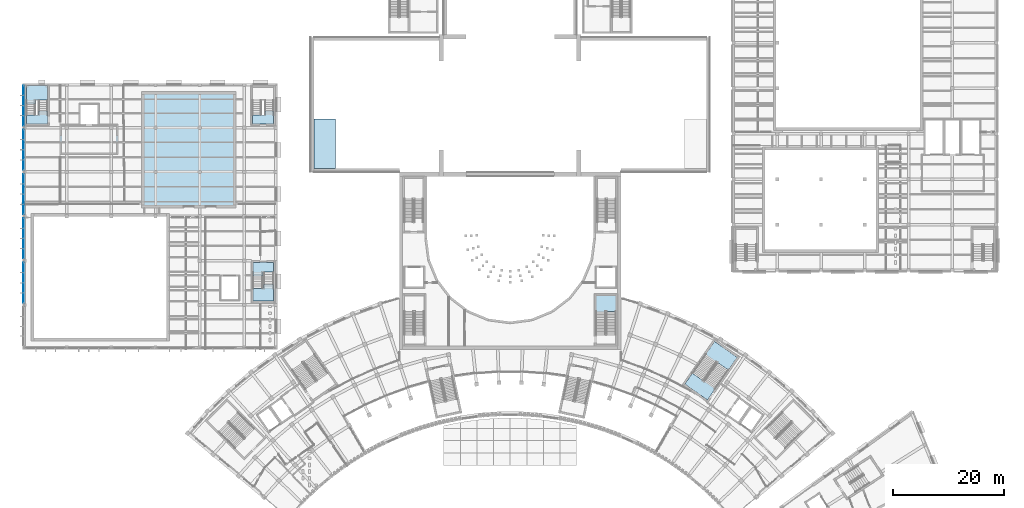
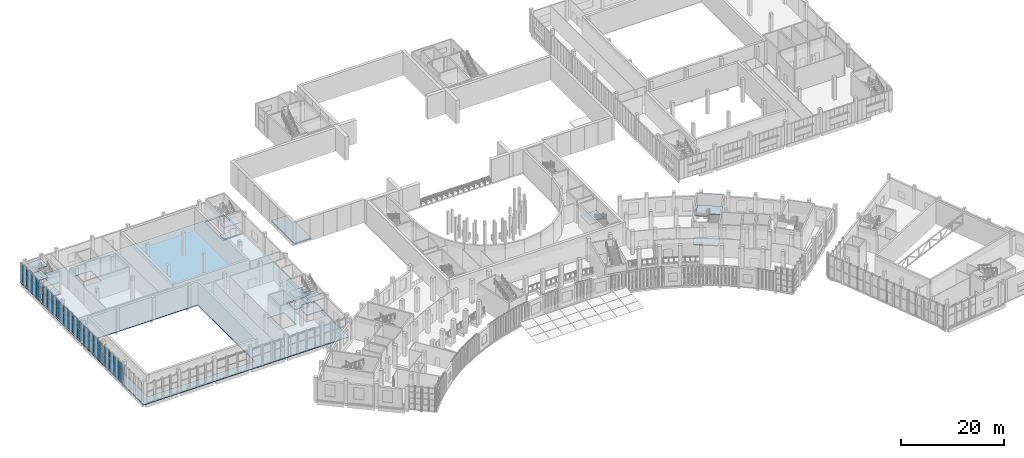
# One storey, part 48 of 112: 40 plates, 15 slabs, 10 elements without a shape of their own.
"""IFC4 building model written with IfcOpenShell, lengths in metres."""

import ifcopenshell
import ifcopenshell.guid

model = None  # the IFC model being written
_history = None  # IfcOwnerHistory: only IFC2X3 demands one
_inside = {}  # id of a spatial element -> (the spatial element, [elements in it])
_under = {}  # id of a project, library or spatial element -> (it, [spatial elements below it])
_declared = {}  # id of a project -> (the project, [libraries it declares])
_typed = {}  # id of a type object -> (the type object, [elements of that type])
_made_of = {}  # id of a material, layer set ... -> (it, [elements and type objects made of it])


def new_model(schema):
    """Start an empty IFC model of exactly this schema.

    Asked for "IFC4X3", IfcOpenShell would pick the latest addendum, in which some entities
    have other attributes; the version numbers below select the first issue.
    IFC2X3 requires an IfcOwnerHistory on every rooted entity: one is made here for all.
    """
    global model, _history
    if schema == "IFC4X3":
        model = ifcopenshell.file(schema_version=(4, 3, 0, 0))
    else:
        model = ifcopenshell.file(schema=schema)
    _inside.clear()
    _under.clear()
    _declared.clear()
    _typed.clear()
    _made_of.clear()
    _history = None
    if model.schema == "IFC2X3":
        org = make("IfcOrganization", Name="unknown")
        user = make(
            "IfcPersonAndOrganization",
            ThePerson=make("IfcPerson", FamilyName="unknown"),
            TheOrganization=org,
        )
        app = make(
            "IfcApplication",
            ApplicationDeveloper=org,
            Version="unknown",
            ApplicationFullName="unknown",
            ApplicationIdentifier="unknown",
        )
        _history = make(
            "IfcOwnerHistory",
            OwningUser=user,
            OwningApplication=app,
            ChangeAction="ADDED",
            CreationDate=0,
        )
    return model


def make(cls, **values):
    """One entity of the class cls with the attributes given. An attribute that is None is left unset."""
    return model.create_entity(
        cls, **{name: value for name, value in values.items() if value is not None}
    )


def rooted(cls, **values):
    """An entity with a GlobalId (a new one), such as an element, a storey or a relation."""
    return make(cls, GlobalId=ifcopenshell.guid.new(), OwnerHistory=_history, **values)


def si_unit(unit_type, name, prefix=None):
    """IfcSIUnit, for example si_unit("LENGTHUNIT", "METRE", prefix="MILLI")."""
    return make("IfcSIUnit", UnitType=unit_type, Prefix=prefix, Name=name)


def assignment(units):
    """IfcUnitAssignment: the units of a project."""
    return None if units is None else make("IfcUnitAssignment", Units=units)


def point(xyz):
    """IfcCartesianPoint."""
    return None if xyz is None else make("IfcCartesianPoint", Coordinates=xyz)


def direction(xyz):
    """IfcDirection."""
    return None if xyz is None else make("IfcDirection", DirectionRatios=xyz)


def frame(location, z_axis=None, x_axis=None):
    """IfcAxis2Placement3D, a coordinate frame: its origin and axes. An axis left out is left unset."""
    return make(
        "IfcAxis2Placement3D",
        Location=point(location),
        Axis=direction(z_axis),
        RefDirection=direction(x_axis),
    )


def frame_2d(location, x_axis=None):
    """IfcAxis2Placement2D, a coordinate frame in the plane: its origin and x axis."""
    return make(
        "IfcAxis2Placement2D", Location=point(location), RefDirection=direction(x_axis)
    )


def origin():
    """The frame at (0, 0, 0) with its axes left unset."""
    return frame((0.0, 0.0, 0.0))


def origin_2d():
    """The frame at (0, 0) in the plane with its x axis left unset."""
    return frame_2d((0.0, 0.0))


def place(relative_to, where):
    """IfcLocalPlacement: puts the frame where relative to a parent placement (None: the world)."""
    return make(
        "IfcLocalPlacement", PlacementRelTo=relative_to, RelativePlacement=where
    )


def context(
    kind, dimensions, precision=None, world=None, true_north=None, identifier=None
):
    """IfcGeometricRepresentationContext, for example the 3D "Model" context."""
    return make(
        "IfcGeometricRepresentationContext",
        ContextIdentifier=identifier,
        ContextType=kind,
        CoordinateSpaceDimension=dimensions,
        Precision=precision,
        WorldCoordinateSystem=world,
        TrueNorth=true_north,
    )


def subcontext(parent, identifier, kind, view, scale=None):
    """IfcGeometricRepresentationSubContext, for example "Body" below "Model"."""
    return make(
        "IfcGeometricRepresentationSubContext",
        ContextIdentifier=identifier,
        ContextType=kind,
        ParentContext=parent,
        TargetScale=scale,
        TargetView=view,
    )


def project(units=None, contexts=None):
    """IfcProject with its units and contexts."""
    return rooted(
        "IfcProject",
        Name="project",
        RepresentationContexts=contexts,
        UnitsInContext=assignment(units),
    )


def spatial(cls, under=None, at=None, **own):
    """A site, building, storey or space (cls), placed at a placement, below another one or the project."""
    s = rooted(cls, ObjectPlacement=at, **own)
    if under is not None:
        _under.setdefault(under.id(), (under, []))[1].append(s)
    return s


def polyline(points):
    """IfcPolyline through the points."""
    return make("IfcPolyline", Points=[point(p) for p in points])


def profile(cls, at=None, kind="AREA", **sizes):
    """A parametric profile (cls). Its sizes go by their IFC names, for example OverallWidth=200.0."""
    return make(cls, ProfileType=kind, Position=at, **sizes)


def rectangle(**sizes):
    """IfcRectangleProfileDef."""
    return profile("IfcRectangleProfileDef", **sizes)


def outline(outer, holes=None, kind="AREA"):
    """IfcArbitraryClosedProfileDef: a profile drawn as a closed curve; with holes, ...WithVoids."""
    if holes is None:
        return make("IfcArbitraryClosedProfileDef", ProfileType=kind, OuterCurve=outer)
    return make(
        "IfcArbitraryProfileDefWithVoids",
        ProfileType=kind,
        OuterCurve=outer,
        InnerCurves=holes,
    )


def extrude(swept, where, along, depth):
    """IfcExtrudedAreaSolid: the profile swept, set in the frame where, extruded along a direction by depth."""
    return make(
        "IfcExtrudedAreaSolid",
        SweptArea=swept,
        Position=where,
        ExtrudedDirection=direction(along),
        Depth=depth,
    )


def shape(context_of_items, identifier, shape_type, items):
    """IfcShapeRepresentation: the items that make up one representation, for example the "Body"."""
    return make(
        "IfcShapeRepresentation",
        ContextOfItems=context_of_items,
        RepresentationIdentifier=identifier,
        RepresentationType=shape_type,
        Items=items,
    )


def material(Name=None, Category=None):
    """IfcMaterial."""
    return make("IfcMaterial", Name=Name, Category=Category)


def layer(
    of_material, thickness, ventilated=None, Name=None, Category=None, Priority=None
):
    """IfcMaterialLayer: one layer of a wall or slab, of a material (None: an air gap)."""
    return make(
        "IfcMaterialLayer",
        Material=of_material,
        LayerThickness=thickness,
        IsVentilated=ventilated,
        Name=Name,
        Category=Category,
        Priority=Priority,
    )


def layer_set(layers, Name=None):
    """IfcMaterialLayerSet."""
    return make("IfcMaterialLayerSet", MaterialLayers=layers, LayerSetName=Name)


def made_of(thing, what):
    """Note that an element or type object is made of a material, layer set ...; save() writes the relation."""
    if what is not None:
        _made_of.setdefault(what.id(), (what, []))[1].append(thing)
    return thing


def type_object(cls, material=None, **own):
    """A type object (cls), such as IfcWallType, which elements share."""
    return made_of(rooted(cls, **own), material)


def element(
    cls,
    number,
    at=None,
    inside=None,
    cuts=None,
    type_object=None,
    material=None,
    context=None,
    identifier="Body",
    shape_type=None,
    held_by="IfcProductDefinitionShape",
    body=None,
    shapes=None,
    **own,
):
    """One element of the class cls, such as IfcWall. Its Tag is "e" and its number.

    at: its placement. inside: the storey or other place that contains it. cuts: it is an
    opening in that element (IfcRelVoidsElement). A single representation is given by context,
    identifier, shape_type and body (its items); several are given by shapes. held_by: the class
    of the entity that holds the representations. save() writes the other relations.
    """
    e = rooted(cls, Tag="e%d" % number, ObjectPlacement=at, **own)
    if body is not None:
        shapes = [shape(context, identifier, shape_type, body)]
    if shapes is not None:
        e.Representation = make(held_by, Representations=shapes)
    if inside is not None:
        _inside.setdefault(inside.id(), (inside, []))[1].append(e)
    if cuts is not None:
        rooted(
            "IfcRelVoidsElement", RelatingBuildingElement=cuts, RelatedOpeningElement=e
        )
    if type_object is not None:
        _typed.setdefault(type_object.id(), (type_object, []))[1].append(e)
    return made_of(e, material)


def aggregate(whole, parts):
    """IfcRelAggregates: a whole, such as a stair, and the parts it consists of."""
    return rooted("IfcRelAggregates", RelatingObject=whole, RelatedObjects=parts)


def save(model, path):
    """Write the relations noted so far, then the file.

    IfcRelAggregates (storeys below a building ...), IfcRelContainedInSpatialStructure (elements
    in a storey), IfcRelDefinesByType, IfcRelAssociatesMaterial and IfcRelDeclares: one each for
    every whole, place, type object, material and project.
    """
    for whole, parts in _under.values():
        aggregate(whole, parts)
    for where, things in _inside.values():
        rooted(
            "IfcRelContainedInSpatialStructure",
            RelatedElements=things,
            RelatingStructure=where,
        )
    for kind, things in _typed.values():
        rooted("IfcRelDefinesByType", RelatedObjects=things, RelatingType=kind)
    for what, things in _made_of.values():
        rooted("IfcRelAssociatesMaterial", RelatedObjects=things, RelatingMaterial=what)
    for by, libraries in _declared.values():
        rooted("IfcRelDeclares", RelatingContext=by, RelatedDefinitions=libraries)
    model.write(path)


model = new_model("IFC4")

# Units and contexts
model_context = context("Model", 3, precision=1e-05, world=origin(), true_north=direction((0.0, 1.0)))
body_context = subcontext(model_context, "Body", "Model", "MODEL_VIEW")
ifc_project = project(units=[si_unit("LENGTHUNIT", "METRE"), si_unit("AREAUNIT", "SQUARE_METRE"), si_unit("VOLUMEUNIT", "CUBIC_METRE"), si_unit("PLANEANGLEUNIT", "RADIAN"), si_unit("MASSUNIT", "GRAM", prefix="KILO")], contexts=[model_context])

# Site, building, storey
site_placement = place(None, origin())
site = spatial("IfcSite", under=ifc_project, at=site_placement, CompositionType="ELEMENT")
building_placement = place(site_placement, origin())
building = spatial("IfcBuilding", under=site, at=building_placement, Name="Lunette Opera House", CompositionType="ELEMENT")
storey_placement = place(building_placement, frame((0.0, 0.0, 6.0)))
storey = spatial("IfcBuildingStorey", under=building, at=storey_placement, Name="L01", CompositionType="ELEMENT", Elevation=6.0)

# Slabs
ifc_material_1 = material(Name="Concrete C35/45", Category="concrete")
ifc_layer_1 = layer(ifc_material_1, 0.199951171875)
ifc_layer_set_1 = layer_set([ifc_layer_1], Name="Concrete C35/45")
slab_type_1 = type_object("IfcSlabType", Name="CORE LANDING SLAB 200", PredefinedType="LANDING", material=ifc_layer_set_1)
slab_1_placement = place(storey_placement, frame((0.0, 0.0, -0.199951171875)))
element("IfcSlab", 1, at=slab_1_placement, inside=storey, type_object=slab_type_1, Name="ST15 floor landing", PredefinedType="LANDING", context=body_context, shape_type="SweptSolid", body=[
    extrude(outline(polyline([(10.89990234375, 106.300048828125), (10.89990234375, 107.0), (12.5, 107.0), (12.5, 104.699951171875), (8.699951171875, 104.699951171875), (8.699951171875, 106.31005859375), (10.300048828125, 106.31005859375), (10.300048828125, 106.300048828125), (10.89990234375, 106.300048828125)])), origin(), (0.0, 0.0, 1.0), 0.199951171875),
])
slab_2_placement = place(storey_placement, frame((0.0, 0.0, -0.199951171875)))
element("IfcSlab", 2, at=slab_2_placement, inside=storey, type_object=slab_type_1, Name="ST16 floor landing", PredefinedType="LANDING", context=body_context, shape_type="SweptSolid", body=[
    extrude(outline(polyline([(53.300048828125, 77.919921875), (51.530029296875, 77.919921875), (51.530029296875, 77.929931640625), (51.3701171875, 77.929931640625), (51.3701171875, 77.22998046875), (49.60009765625, 77.22998046875), (49.60009765625, 79.699951171875), (53.300048828125, 79.699951171875), (53.300048828125, 77.919921875)])), origin(), (0.0, 0.0, 1.0), 0.199951171875),
])
slab_3_placement = place(storey_placement, frame((0.0, 0.0, -0.199951171875)))
element("IfcSlab", 3, at=slab_3_placement, inside=storey, type_object=slab_type_1, Name="ST17 floor landing", PredefinedType="LANDING", context=body_context, shape_type="SweptSolid", body=[
    extrude(outline(polyline([(53.3349609375, 104.699951171875), (49.5, 104.699951171875), (49.5, 106.31005859375), (51.10009765625, 106.31005859375), (51.10009765625, 106.300048828125), (51.735107421875, 106.300048828125), (51.735107421875, 107.0), (53.3349609375, 107.0), (53.3349609375, 104.699951171875)])), origin(), (0.0, 0.0, 1.0), 0.199951171875),
])
ifc_material_2 = material(Name="Concrete C35/45", Category="concrete")
ifc_layer_2 = layer(ifc_material_2, 0.219970703125)
ifc_layer_set_2 = layer_set([ifc_layer_2], Name="Concrete C35/45")
slab_type_2 = type_object("IfcSlabType", Name="CORE LANDING SLAB 220", PredefinedType="LANDING", material=ifc_layer_set_2)
slab_4_placement = place(storey_placement, frame((0.0, 0.0, -0.219970703125)))
element("IfcSlab", 4, at=slab_4_placement, inside=storey, type_object=slab_type_2, Name="ST3 floor landing", PredefinedType="LANDING", context=body_context, shape_type="SweptSolid", body=[
    extrude(outline(polyline([(127.5029296875, 57.718994140625), (128.885986328125, 59.693115234375), (130.85205078125, 58.31689453125), (130.845947265625, 58.30810546875), (131.010009765625, 58.193115234375), (131.412109375, 58.76708984375), (133.3779296875, 57.389892578125), (131.60009765625, 54.85107421875), (127.5029296875, 57.718994140625)])), origin(), (0.0, 0.0, 1.0), 0.219970703125),
])

# Curtain wall, plates
ifc_material_3 = material(Name="Aluminium", Category="aluminium")
ifc_layer_3 = layer(ifc_material_3, 0.179931640625)
ifc_layer_set_3 = layer_set([ifc_layer_3], Name="Aluminium")
curtain_wall_type = type_object("IfcCurtainWallType", Name="SUN FACE CURTAIN WALL", PredefinedType="NOTDEFINED", material=ifc_layer_set_3)
curtain_wall_1_placement = place(storey_placement, origin())
curtain_wall_1 = element("IfcCurtainWall", 5, at=curtain_wall_1_placement, inside=storey, type_object=curtain_wall_type, Name="Sun Face Curtain Wall F13 L01", PredefinedType="NOTDEFINED")
ifc_material_4 = material(Name="Laminated glass", Category="glass")
ifc_layer_4 = layer(ifc_material_4, 0.028076171875)
ifc_layer_set_4 = layer_set([ifc_layer_4], Name="Laminated glass")
plate_type = type_object("IfcPlateType", Name="CURTAIN PANEL LAMINATED GLASS 28", PredefinedType="CURTAIN_PANEL", material=ifc_layer_set_4)
plate_1_placement = place(storey_placement, frame((8.181884765625, 110.706787109375, 0.06005859375), z_axis=(0.0, 0.0, 1.0), x_axis=(0.0, -1.0, 0.0)))
plate_1 = element("IfcPlate", 6, at=plate_1_placement, type_object=plate_type, Name="RW-X2015 panel 1.1", PredefinedType="CURTAIN_PANEL", context=body_context, shape_type="SweptSolid", body=[
    extrude(rectangle(XDim=1.736328125, YDim=0.028076171875, at=origin_2d()), origin(), (0.0, 0.0, 1.0), 2.5849609375),
])
plate_2_placement = place(storey_placement, frame((8.181884765625, 110.706787109375, 2.705078125), z_axis=(0.0, 0.0, 1.0), x_axis=(0.0, -1.0, 0.0)))
plate_2 = element("IfcPlate", 7, at=plate_2_placement, type_object=plate_type, Name="RW-X2015 panel 1.2", PredefinedType="CURTAIN_PANEL", context=body_context, shape_type="SweptSolid", body=[
    extrude(rectangle(XDim=1.736328125, YDim=0.028076171875, at=origin_2d()), origin(), (0.0, 0.0, 1.0), 1.784912109375),
])
plate_3_placement = place(storey_placement, frame((8.181884765625, 108.8955078125, 0.06005859375), z_axis=(0.0, 0.0, 1.0), x_axis=(0.0, -1.0, 0.0)))
plate_3 = element("IfcPlate", 8, at=plate_3_placement, type_object=plate_type, Name="RW-X2015 panel 2.1", PredefinedType="CURTAIN_PANEL", context=body_context, shape_type="SweptSolid", body=[
    extrude(rectangle(XDim=1.766357421875, YDim=0.028076171875, at=origin_2d()), origin(), (0.0, 0.0, 1.0), 2.5849609375),
])
plate_4_placement = place(storey_placement, frame((8.181884765625, 108.8955078125, 2.705078125), z_axis=(0.0, 0.0, 1.0), x_axis=(0.0, -1.0, 0.0)))
plate_4 = element("IfcPlate", 9, at=plate_4_placement, type_object=plate_type, Name="RW-X2015 panel 2.2", PredefinedType="CURTAIN_PANEL", context=body_context, shape_type="SweptSolid", body=[
    extrude(rectangle(XDim=1.766357421875, YDim=0.028076171875, at=origin_2d()), origin(), (0.0, 0.0, 1.0), 1.784912109375),
])
plate_5_placement = place(storey_placement, frame((8.181884765625, 107.0693359375, 0.06005859375), z_axis=(0.0, 0.0, 1.0), x_axis=(0.0, -1.0, 0.0)))
plate_5 = element("IfcPlate", 10, at=plate_5_placement, type_object=plate_type, Name="RW-X2015 panel 3.1", PredefinedType="CURTAIN_PANEL", context=body_context, shape_type="SweptSolid", body=[
    extrude(rectangle(XDim=1.766357421875, YDim=0.028076171875, at=origin_2d()), origin(), (0.0, 0.0, 1.0), 2.5849609375),
])
plate_6_placement = place(storey_placement, frame((8.181884765625, 107.0693359375, 2.705078125), z_axis=(0.0, 0.0, 1.0), x_axis=(0.0, -1.0, 0.0)))
plate_6 = element("IfcPlate", 11, at=plate_6_placement, type_object=plate_type, Name="RW-X2015 panel 3.2", PredefinedType="CURTAIN_PANEL", context=body_context, shape_type="SweptSolid", body=[
    extrude(rectangle(XDim=1.766357421875, YDim=0.028076171875, at=origin_2d()), origin(), (0.0, 0.0, 1.0), 1.784912109375),
])
plate_7_placement = place(storey_placement, frame((8.181884765625, 105.258056640625, 0.06005859375), z_axis=(0.0, 0.0, 1.0), x_axis=(0.0, -1.0, 0.0)))
plate_7 = element("IfcPlate", 12, at=plate_7_placement, type_object=plate_type, Name="RW-X2015 panel 4.1", PredefinedType="CURTAIN_PANEL", context=body_context, shape_type="SweptSolid", body=[
    extrude(rectangle(XDim=1.736328125, YDim=0.028076171875, at=origin_2d()), origin(), (0.0, 0.0, 1.0), 2.5849609375),
])
plate_8_placement = place(storey_placement, frame((8.181884765625, 105.258056640625, 2.705078125), z_axis=(0.0, 0.0, 1.0), x_axis=(0.0, -1.0, 0.0)))
plate_8 = element("IfcPlate", 13, at=plate_8_placement, type_object=plate_type, Name="RW-X2015 panel 4.2", PredefinedType="CURTAIN_PANEL", context=body_context, shape_type="SweptSolid", body=[
    extrude(rectangle(XDim=1.736328125, YDim=0.028076171875, at=origin_2d()), origin(), (0.0, 0.0, 1.0), 1.784912109375),
])
aggregate(curtain_wall_1, [plate_1, plate_2, plate_3, plate_4, plate_5, plate_6, plate_7, plate_8])

curtain_wall_2_placement = place(storey_placement, origin())
curtain_wall_2 = element("IfcCurtainWall", 14, at=curtain_wall_2_placement, inside=storey, type_object=curtain_wall_type, Name="Sun Face Curtain Wall F14 L01", PredefinedType="NOTDEFINED")
plate_9_placement = place(storey_placement, frame((8.181884765625, 102.76025390625, 0.06005859375), z_axis=(0.0, 0.0, 1.0), x_axis=(0.0, -1.0, 0.0)))
plate_9 = element("IfcPlate", 15, at=plate_9_placement, type_object=plate_type, Name="RW-X2016 panel 1.1", PredefinedType="CURTAIN_PANEL", context=body_context, shape_type="SweptSolid", body=[
    extrude(rectangle(XDim=1.75146484375, YDim=0.028076171875, at=origin_2d()), origin(), (0.0, 0.0, 1.0), 2.5849609375),
])
plate_10_placement = place(storey_placement, frame((8.181884765625, 102.76025390625, 2.705078125), z_axis=(0.0, 0.0, 1.0), x_axis=(0.0, -1.0, 0.0)))
plate_10 = element("IfcPlate", 16, at=plate_10_placement, type_object=plate_type, Name="RW-X2016 panel 1.2", PredefinedType="CURTAIN_PANEL", context=body_context, shape_type="SweptSolid", body=[
    extrude(rectangle(XDim=1.75146484375, YDim=0.028076171875, at=origin_2d()), origin(), (0.0, 0.0, 1.0), 1.784912109375),
])
plate_11_placement = place(storey_placement, frame((8.181884765625, 100.933837890625, 0.06005859375), z_axis=(0.0, 0.0, 1.0), x_axis=(0.0, -1.0, 0.0)))
plate_11 = element("IfcPlate", 17, at=plate_11_placement, type_object=plate_type, Name="RW-X2016 panel 2.1", PredefinedType="CURTAIN_PANEL", context=body_context, shape_type="SweptSolid", body=[
    extrude(rectangle(XDim=1.781494140625, YDim=0.028076171875, at=origin_2d()), origin(), (0.0, 0.0, 1.0), 2.5849609375),
])
plate_12_placement = place(storey_placement, frame((8.181884765625, 100.933837890625, 2.705078125), z_axis=(0.0, 0.0, 1.0), x_axis=(0.0, -1.0, 0.0)))
plate_12 = element("IfcPlate", 18, at=plate_12_placement, type_object=plate_type, Name="RW-X2016 panel 2.2", PredefinedType="CURTAIN_PANEL", context=body_context, shape_type="SweptSolid", body=[
    extrude(rectangle(XDim=1.781494140625, YDim=0.028076171875, at=origin_2d()), origin(), (0.0, 0.0, 1.0), 1.784912109375),
])
plate_13_placement = place(storey_placement, frame((8.181884765625, 99.09228515625, 0.06005859375), z_axis=(0.0, 0.0, 1.0), x_axis=(0.0, -1.0, 0.0)))
plate_13 = element("IfcPlate", 19, at=plate_13_placement, type_object=plate_type, Name="RW-X2016 panel 3.1", PredefinedType="CURTAIN_PANEL", context=body_context, shape_type="SweptSolid", body=[
    extrude(rectangle(XDim=1.781494140625, YDim=0.028076171875, at=origin_2d()), origin(), (0.0, 0.0, 1.0), 2.5849609375),
])
plate_14_placement = place(storey_placement, frame((8.181884765625, 99.09228515625, 2.705078125), z_axis=(0.0, 0.0, 1.0), x_axis=(0.0, -1.0, 0.0)))
plate_14 = element("IfcPlate", 20, at=plate_14_placement, type_object=plate_type, Name="RW-X2016 panel 3.2", PredefinedType="CURTAIN_PANEL", context=body_context, shape_type="SweptSolid", body=[
    extrude(rectangle(XDim=1.781494140625, YDim=0.028076171875, at=origin_2d()), origin(), (0.0, 0.0, 1.0), 1.784912109375),
])
plate_15_placement = place(storey_placement, frame((8.181884765625, 97.265869140625, 0.06005859375), z_axis=(0.0, 0.0, 1.0), x_axis=(0.0, -1.0, 0.0)))
plate_15 = element("IfcPlate", 21, at=plate_15_placement, type_object=plate_type, Name="RW-X2016 panel 4.1", PredefinedType="CURTAIN_PANEL", context=body_context, shape_type="SweptSolid", body=[
    extrude(rectangle(XDim=1.75146484375, YDim=0.028076171875, at=origin_2d()), origin(), (0.0, 0.0, 1.0), 2.5849609375),
])
plate_16_placement = place(storey_placement, frame((8.181884765625, 97.265869140625, 2.705078125), z_axis=(0.0, 0.0, 1.0), x_axis=(0.0, -1.0, 0.0)))
plate_16 = element("IfcPlate", 22, at=plate_16_placement, type_object=plate_type, Name="RW-X2016 panel 4.2", PredefinedType="CURTAIN_PANEL", context=body_context, shape_type="SweptSolid", body=[
    extrude(rectangle(XDim=1.75146484375, YDim=0.028076171875, at=origin_2d()), origin(), (0.0, 0.0, 1.0), 1.784912109375),
])
aggregate(curtain_wall_2, [plate_9, plate_10, plate_11, plate_12, plate_13, plate_14, plate_15, plate_16])

curtain_wall_3_placement = place(storey_placement, origin())
curtain_wall_3 = element("IfcCurtainWall", 23, at=curtain_wall_3_placement, inside=storey, type_object=curtain_wall_type, Name="Sun Face Curtain Wall F15 L01", PredefinedType="NOTDEFINED")
plate_17_placement = place(storey_placement, frame((8.181884765625, 94.737548828125, 0.06005859375), z_axis=(0.0, 0.0, 1.0), x_axis=(0.0, -1.0, 0.0)))
plate_17 = element("IfcPlate", 24, at=plate_17_placement, type_object=plate_type, Name="RW-X2017 panel 1.1", PredefinedType="CURTAIN_PANEL", context=body_context, shape_type="SweptSolid", body=[
    extrude(rectangle(XDim=1.7451171875, YDim=0.028076171875, at=origin_2d()), origin(), (0.0, 0.0, 1.0), 2.5849609375),
])
plate_18_placement = place(storey_placement, frame((8.181884765625, 94.737548828125, 2.705078125), z_axis=(0.0, 0.0, 1.0), x_axis=(0.0, -1.0, 0.0)))
plate_18 = element("IfcPlate", 25, at=plate_18_placement, type_object=plate_type, Name="RW-X2017 panel 1.2", PredefinedType="CURTAIN_PANEL", context=body_context, shape_type="SweptSolid", body=[
    extrude(rectangle(XDim=1.7451171875, YDim=0.028076171875, at=origin_2d()), origin(), (0.0, 0.0, 1.0), 1.784912109375),
])
plate_19_placement = place(storey_placement, frame((8.181884765625, 92.91748046875, 0.06005859375), z_axis=(0.0, 0.0, 1.0), x_axis=(0.0, -1.0, 0.0)))
plate_19 = element("IfcPlate", 26, at=plate_19_placement, type_object=plate_type, Name="RW-X2017 panel 2.1", PredefinedType="CURTAIN_PANEL", context=body_context, shape_type="SweptSolid", body=[
    extrude(rectangle(XDim=1.77490234375, YDim=0.028076171875, at=origin_2d()), origin(), (0.0, 0.0, 1.0), 2.5849609375),
])
plate_20_placement = place(storey_placement, frame((8.181884765625, 92.91748046875, 2.705078125), z_axis=(0.0, 0.0, 1.0), x_axis=(0.0, -1.0, 0.0)))
plate_20 = element("IfcPlate", 27, at=plate_20_placement, type_object=plate_type, Name="RW-X2017 panel 2.2", PredefinedType="CURTAIN_PANEL", context=body_context, shape_type="SweptSolid", body=[
    extrude(rectangle(XDim=1.77490234375, YDim=0.028076171875, at=origin_2d()), origin(), (0.0, 0.0, 1.0), 1.784912109375),
])
plate_21_placement = place(storey_placement, frame((8.181884765625, 91.08251953125, 0.06005859375), z_axis=(0.0, 0.0, 1.0), x_axis=(0.0, -1.0, 0.0)))
plate_21 = element("IfcPlate", 28, at=plate_21_placement, type_object=plate_type, Name="RW-X2017 panel 3.1", PredefinedType="CURTAIN_PANEL", context=body_context, shape_type="SweptSolid", body=[
    extrude(rectangle(XDim=1.77490234375, YDim=0.028076171875, at=origin_2d()), origin(), (0.0, 0.0, 1.0), 2.5849609375),
])
plate_22_placement = place(storey_placement, frame((8.181884765625, 91.08251953125, 2.705078125), z_axis=(0.0, 0.0, 1.0), x_axis=(0.0, -1.0, 0.0)))
plate_22 = element("IfcPlate", 29, at=plate_22_placement, type_object=plate_type, Name="RW-X2017 panel 3.2", PredefinedType="CURTAIN_PANEL", context=body_context, shape_type="SweptSolid", body=[
    extrude(rectangle(XDim=1.77490234375, YDim=0.028076171875, at=origin_2d()), origin(), (0.0, 0.0, 1.0), 1.784912109375),
])
plate_23_placement = place(storey_placement, frame((8.181884765625, 89.262451171875, 0.06005859375), z_axis=(0.0, 0.0, 1.0), x_axis=(0.0, -1.0, 0.0)))
plate_23 = element("IfcPlate", 30, at=plate_23_placement, type_object=plate_type, Name="RW-X2017 panel 4.1", PredefinedType="CURTAIN_PANEL", context=body_context, shape_type="SweptSolid", body=[
    extrude(rectangle(XDim=1.7451171875, YDim=0.028076171875, at=origin_2d()), origin(), (0.0, 0.0, 1.0), 2.5849609375),
])
plate_24_placement = place(storey_placement, frame((8.181884765625, 89.262451171875, 2.705078125), z_axis=(0.0, 0.0, 1.0), x_axis=(0.0, -1.0, 0.0)))
plate_24 = element("IfcPlate", 31, at=plate_24_placement, type_object=plate_type, Name="RW-X2017 panel 4.2", PredefinedType="CURTAIN_PANEL", context=body_context, shape_type="SweptSolid", body=[
    extrude(rectangle(XDim=1.7451171875, YDim=0.028076171875, at=origin_2d()), origin(), (0.0, 0.0, 1.0), 1.784912109375),
])
aggregate(curtain_wall_3, [plate_17, plate_18, plate_19, plate_20, plate_21, plate_22, plate_23, plate_24])

curtain_wall_4_placement = place(storey_placement, origin())
curtain_wall_4 = element("IfcCurtainWall", 32, at=curtain_wall_4_placement, inside=storey, type_object=curtain_wall_type, Name="Sun Face Curtain Wall F16 L01", PredefinedType="NOTDEFINED")
plate_25_placement = place(storey_placement, frame((8.181884765625, 86.737548828125, 0.06005859375), z_axis=(0.0, 0.0, 1.0), x_axis=(0.0, -1.0, 0.0)))
plate_25 = element("IfcPlate", 33, at=plate_25_placement, type_object=plate_type, Name="RW-X2018 panel 1.1", PredefinedType="CURTAIN_PANEL", context=body_context, shape_type="SweptSolid", body=[
    extrude(rectangle(XDim=1.7451171875, YDim=0.028076171875, at=origin_2d()), origin(), (0.0, 0.0, 1.0), 2.5849609375),
])
plate_26_placement = place(storey_placement, frame((8.181884765625, 86.737548828125, 2.705078125), z_axis=(0.0, 0.0, 1.0), x_axis=(0.0, -1.0, 0.0)))
plate_26 = element("IfcPlate", 34, at=plate_26_placement, type_object=plate_type, Name="RW-X2018 panel 1.2", PredefinedType="CURTAIN_PANEL", context=body_context, shape_type="SweptSolid", body=[
    extrude(rectangle(XDim=1.7451171875, YDim=0.028076171875, at=origin_2d()), origin(), (0.0, 0.0, 1.0), 1.784912109375),
])
plate_27_placement = place(storey_placement, frame((8.181884765625, 84.91748046875, 0.06005859375), z_axis=(0.0, 0.0, 1.0), x_axis=(0.0, -1.0, 0.0)))
plate_27 = element("IfcPlate", 35, at=plate_27_placement, type_object=plate_type, Name="RW-X2018 panel 2.1", PredefinedType="CURTAIN_PANEL", context=body_context, shape_type="SweptSolid", body=[
    extrude(rectangle(XDim=1.77490234375, YDim=0.028076171875, at=origin_2d()), origin(), (0.0, 0.0, 1.0), 2.5849609375),
])
plate_28_placement = place(storey_placement, frame((8.181884765625, 84.91748046875, 2.705078125), z_axis=(0.0, 0.0, 1.0), x_axis=(0.0, -1.0, 0.0)))
plate_28 = element("IfcPlate", 36, at=plate_28_placement, type_object=plate_type, Name="RW-X2018 panel 2.2", PredefinedType="CURTAIN_PANEL", context=body_context, shape_type="SweptSolid", body=[
    extrude(rectangle(XDim=1.77490234375, YDim=0.028076171875, at=origin_2d()), origin(), (0.0, 0.0, 1.0), 1.784912109375),
])
plate_29_placement = place(storey_placement, frame((8.181884765625, 83.08251953125, 0.06005859375), z_axis=(0.0, 0.0, 1.0), x_axis=(0.0, -1.0, 0.0)))
plate_29 = element("IfcPlate", 37, at=plate_29_placement, type_object=plate_type, Name="RW-X2018 panel 3.1", PredefinedType="CURTAIN_PANEL", context=body_context, shape_type="SweptSolid", body=[
    extrude(rectangle(XDim=1.77490234375, YDim=0.028076171875, at=origin_2d()), origin(), (0.0, 0.0, 1.0), 2.5849609375),
])
plate_30_placement = place(storey_placement, frame((8.181884765625, 83.08251953125, 2.705078125), z_axis=(0.0, 0.0, 1.0), x_axis=(0.0, -1.0, 0.0)))
plate_30 = element("IfcPlate", 38, at=plate_30_placement, type_object=plate_type, Name="RW-X2018 panel 3.2", PredefinedType="CURTAIN_PANEL", context=body_context, shape_type="SweptSolid", body=[
    extrude(rectangle(XDim=1.77490234375, YDim=0.028076171875, at=origin_2d()), origin(), (0.0, 0.0, 1.0), 1.784912109375),
])
plate_31_placement = place(storey_placement, frame((8.181884765625, 81.262451171875, 0.06005859375), z_axis=(0.0, 0.0, 1.0), x_axis=(0.0, -1.0, 0.0)))
plate_31 = element("IfcPlate", 39, at=plate_31_placement, type_object=plate_type, Name="RW-X2018 panel 4.1", PredefinedType="CURTAIN_PANEL", context=body_context, shape_type="SweptSolid", body=[
    extrude(rectangle(XDim=1.7451171875, YDim=0.028076171875, at=origin_2d()), origin(), (0.0, 0.0, 1.0), 2.5849609375),
])
plate_32_placement = place(storey_placement, frame((8.181884765625, 81.262451171875, 2.705078125), z_axis=(0.0, 0.0, 1.0), x_axis=(0.0, -1.0, 0.0)))
plate_32 = element("IfcPlate", 40, at=plate_32_placement, type_object=plate_type, Name="RW-X2018 panel 4.2", PredefinedType="CURTAIN_PANEL", context=body_context, shape_type="SweptSolid", body=[
    extrude(rectangle(XDim=1.7451171875, YDim=0.028076171875, at=origin_2d()), origin(), (0.0, 0.0, 1.0), 1.784912109375),
])
aggregate(curtain_wall_4, [plate_25, plate_26, plate_27, plate_28, plate_29, plate_30, plate_31, plate_32])

curtain_wall_5_placement = place(storey_placement, origin())
curtain_wall_5 = element("IfcCurtainWall", 41, at=curtain_wall_5_placement, inside=storey, type_object=curtain_wall_type, Name="Sun Face Curtain Wall F17 L01", PredefinedType="NOTDEFINED")
plate_33_placement = place(storey_placement, frame((8.181884765625, 78.737548828125, 0.06005859375), z_axis=(0.0, 0.0, 1.0), x_axis=(0.0, -1.0, 0.0)))
plate_33 = element("IfcPlate", 42, at=plate_33_placement, type_object=plate_type, Name="RW-X2019 panel 1.1", PredefinedType="CURTAIN_PANEL", context=body_context, shape_type="SweptSolid", body=[
    extrude(rectangle(XDim=1.7451171875, YDim=0.028076171875, at=origin_2d()), origin(), (0.0, 0.0, 1.0), 2.5849609375),
])
plate_34_placement = place(storey_placement, frame((8.181884765625, 78.737548828125, 2.705078125), z_axis=(0.0, 0.0, 1.0), x_axis=(0.0, -1.0, 0.0)))
plate_34 = element("IfcPlate", 43, at=plate_34_placement, type_object=plate_type, Name="RW-X2019 panel 1.2", PredefinedType="CURTAIN_PANEL", context=body_context, shape_type="SweptSolid", body=[
    extrude(rectangle(XDim=1.7451171875, YDim=0.028076171875, at=origin_2d()), origin(), (0.0, 0.0, 1.0), 1.784912109375),
])
plate_35_placement = place(storey_placement, frame((8.181884765625, 76.91748046875, 0.06005859375), z_axis=(0.0, 0.0, 1.0), x_axis=(0.0, -1.0, 0.0)))
plate_35 = element("IfcPlate", 44, at=plate_35_placement, type_object=plate_type, Name="RW-X2019 panel 2.1", PredefinedType="CURTAIN_PANEL", context=body_context, shape_type="SweptSolid", body=[
    extrude(rectangle(XDim=1.77490234375, YDim=0.028076171875, at=origin_2d()), origin(), (0.0, 0.0, 1.0), 2.5849609375),
])
plate_36_placement = place(storey_placement, frame((8.181884765625, 76.91748046875, 2.705078125), z_axis=(0.0, 0.0, 1.0), x_axis=(0.0, -1.0, 0.0)))
plate_36 = element("IfcPlate", 45, at=plate_36_placement, type_object=plate_type, Name="RW-X2019 panel 2.2", PredefinedType="CURTAIN_PANEL", context=body_context, shape_type="SweptSolid", body=[
    extrude(rectangle(XDim=1.77490234375, YDim=0.028076171875, at=origin_2d()), origin(), (0.0, 0.0, 1.0), 1.784912109375),
])
plate_37_placement = place(storey_placement, frame((8.181884765625, 75.08251953125, 0.06005859375), z_axis=(0.0, 0.0, 1.0), x_axis=(0.0, -1.0, 0.0)))
plate_37 = element("IfcPlate", 46, at=plate_37_placement, type_object=plate_type, Name="RW-X2019 panel 3.1", PredefinedType="CURTAIN_PANEL", context=body_context, shape_type="SweptSolid", body=[
    extrude(rectangle(XDim=1.77490234375, YDim=0.028076171875, at=origin_2d()), origin(), (0.0, 0.0, 1.0), 2.5849609375),
])
plate_38_placement = place(storey_placement, frame((8.181884765625, 75.08251953125, 2.705078125), z_axis=(0.0, 0.0, 1.0), x_axis=(0.0, -1.0, 0.0)))
plate_38 = element("IfcPlate", 47, at=plate_38_placement, type_object=plate_type, Name="RW-X2019 panel 3.2", PredefinedType="CURTAIN_PANEL", context=body_context, shape_type="SweptSolid", body=[
    extrude(rectangle(XDim=1.77490234375, YDim=0.028076171875, at=origin_2d()), origin(), (0.0, 0.0, 1.0), 1.784912109375),
])
plate_39_placement = place(storey_placement, frame((8.181884765625, 73.262451171875, 0.06005859375), z_axis=(0.0, 0.0, 1.0), x_axis=(0.0, -1.0, 0.0)))
plate_39 = element("IfcPlate", 48, at=plate_39_placement, type_object=plate_type, Name="RW-X2019 panel 4.1", PredefinedType="CURTAIN_PANEL", context=body_context, shape_type="SweptSolid", body=[
    extrude(rectangle(XDim=1.7451171875, YDim=0.028076171875, at=origin_2d()), origin(), (0.0, 0.0, 1.0), 2.5849609375),
])
plate_40_placement = place(storey_placement, frame((8.181884765625, 73.262451171875, 2.705078125), z_axis=(0.0, 0.0, 1.0), x_axis=(0.0, -1.0, 0.0)))
plate_40 = element("IfcPlate", 49, at=plate_40_placement, type_object=plate_type, Name="RW-X2019 panel 4.2", PredefinedType="CURTAIN_PANEL", context=body_context, shape_type="SweptSolid", body=[
    extrude(rectangle(XDim=1.7451171875, YDim=0.028076171875, at=origin_2d()), origin(), (0.0, 0.0, 1.0), 1.784912109375),
])
aggregate(curtain_wall_5, [plate_33, plate_34, plate_35, plate_36, plate_37, plate_38, plate_39, plate_40])

# Slabs
ifc_material_5 = material(Name="Concrete C35/45", Category="concrete")
ifc_layer_5 = layer(ifc_material_5, 0.14990234375)
ifc_layer_set_5 = layer_set([ifc_layer_5], Name="Concrete C35/45")
slab_type_3 = type_object("IfcSlabType", Name="FLOOR SLAB 150", PredefinedType="FLOOR", material=ifc_layer_set_5)
slab_5_placement = place(storey_placement, frame((0.0, 0.0, -0.14990234375)))
element("IfcSlab", 50, at=slab_5_placement, inside=storey, type_object=slab_type_3, Name="slab-RW-L01-F1", PredefinedType="FLOOR", context=body_context, shape_type="SweptSolid", body=[
    extrude(outline(polyline([(8.0, 112.0), (8.0, 64.0), (54.0, 64.0), (54.0, 112.0), (8.0, 112.0)]), holes=[polyline([(10.0, 88.0), (34.0, 88.0), (34.0, 66.0), (10.0, 66.0), (10.0, 88.0)]), polyline([(43.60009765625, 72.800048828125), (43.60009765625, 77.39990234375), (47.199951171875, 77.39990234375), (47.199951171875, 72.800048828125), (43.60009765625, 72.800048828125)]), polyline([(49.300048828125, 72.39990234375), (49.300048828125, 80.0), (53.60009765625, 80.0), (53.60009765625, 72.39990234375), (49.300048828125, 72.39990234375)]), polyline([(18.199951171875, 104.39990234375), (18.199951171875, 108.39990234375), (21.800048828125, 108.39990234375), (21.800048828125, 104.39990234375), (18.199951171875, 104.39990234375)]), polyline([(8.39990234375, 111.635009765625), (12.800048828125, 111.635009765625), (12.800048828125, 104.39990234375), (8.39990234375, 104.39990234375), (8.39990234375, 111.635009765625)]), polyline([(49.199951171875, 111.635009765625), (53.635009765625, 111.635009765625), (53.635009765625, 104.39990234375), (49.199951171875, 104.39990234375), (49.199951171875, 111.635009765625)])]), origin(), (0.0, 0.0, 1.0), 0.14990234375),
])
ifc_material_6 = material(Name="Concrete C35/45", Category="concrete")
ifc_layer_6 = layer(ifc_material_6, 0.25)
ifc_layer_set_6 = layer_set([ifc_layer_6], Name="Concrete C35/45")
slab_type_4 = type_object("IfcSlabType", Name="ROOF SLAB 250", PredefinedType="ROOF", material=ifc_layer_set_6)
slab_6_placement = place(storey_placement, frame((0.0, 0.0, -0.25)))
element("IfcSlab", 51, at=slab_6_placement, inside=storey, type_object=slab_type_4, Name="slab-ST-L00-RC1", PredefinedType="ROOF", context=body_context, shape_type="SweptSolid", body=[
    extrude(outline(polyline([(64.5, 96.60009765625), (64.5, 105.60009765625), (60.60009765625, 105.60009765625), (60.60009765625, 96.60009765625), (64.5, 96.60009765625)])), origin(), (0.0, 0.0, 1.0), 0.25),
])

# Stair, slabs
ifc_material_7 = material(Name="Concrete C35/45", Category="concrete")
stair_type_1 = type_object("IfcStairType", Name="DOGLEG STAIR 1600", PredefinedType="HALF_TURN_STAIR", material=ifc_material_7)
stair_1_placement = place(storey_placement, origin())
stair_1 = element("IfcStair", 52, at=stair_1_placement, inside=storey, type_object=stair_type_1, Name="L01 stair ST15", PredefinedType="HALF_TURN_STAIR")
ifc_material_8 = material(Name="Concrete C35/45", Category="concrete")
ifc_layer_7 = layer(ifc_material_8, 0.199951171875)
ifc_layer_set_7 = layer_set([ifc_layer_7], Name="Concrete C35/45")
slab_type_5 = type_object("IfcSlabType", Name="STAIR LANDING SLAB 200", PredefinedType="LANDING", material=ifc_layer_set_7)
slab_7_placement = place(storey_placement, frame((0.0, 0.0, 1.175048828125)))
slab_7 = element("IfcSlab", 53, at=slab_7_placement, type_object=slab_type_5, Name="ST15 landing 1", PredefinedType="LANDING", context=body_context, shape_type="SweptSolid", body=[
    extrude(outline(polyline([(12.5, 108.949951171875), (10.89990234375, 108.949951171875), (10.89990234375, 108.9599609375), (10.300048828125, 108.9599609375), (10.300048828125, 108.260009765625), (8.699951171875, 108.260009765625), (8.699951171875, 111.635009765625), (12.5, 111.635009765625), (12.5, 108.949951171875)])), origin(), (0.0, 0.0, 1.0), 0.199951171875),
])
slab_8_placement = place(storey_placement, frame((0.0, 0.0, 2.550048828125)))
slab_8 = element("IfcSlab", 54, at=slab_8_placement, type_object=slab_type_5, Name="ST15 landing 2", PredefinedType="LANDING", context=body_context, shape_type="SweptSolid", body=[
    extrude(outline(polyline([(8.699951171875, 104.699951171875), (8.699951171875, 106.31005859375), (10.300048828125, 106.31005859375), (10.300048828125, 106.300048828125), (10.89990234375, 106.300048828125), (10.89990234375, 107.0), (12.5, 107.0), (12.5, 104.699951171875), (8.699951171875, 104.699951171875)])), origin(), (0.0, 0.0, 1.0), 0.199951171875),
])
slab_9_placement = place(storey_placement, frame((0.0, 0.0, 3.925048828125)))
slab_9 = element("IfcSlab", 55, at=slab_9_placement, type_object=slab_type_5, Name="ST15 landing 3", PredefinedType="LANDING", context=body_context, shape_type="SweptSolid", body=[
    extrude(outline(polyline([(12.5, 108.949951171875), (10.89990234375, 108.949951171875), (10.89990234375, 108.9599609375), (10.300048828125, 108.9599609375), (10.300048828125, 108.260009765625), (8.699951171875, 108.260009765625), (8.699951171875, 111.635009765625), (12.5, 111.635009765625), (12.5, 108.949951171875)])), origin(), (0.0, 0.0, 1.0), 0.199951171875),
])
aggregate(stair_1, [slab_7, slab_8, slab_9])

ifc_material_9 = material(Name="Concrete C35/45", Category="concrete")
stair_type_2 = type_object("IfcStairType", Name="DOGLEG STAIR 1770", PredefinedType="HALF_TURN_STAIR", material=ifc_material_9)
stair_2_placement = place(storey_placement, origin())
stair_2 = element("IfcStair", 56, at=stair_2_placement, inside=storey, type_object=stair_type_2, Name="L01 stair ST16", PredefinedType="HALF_TURN_STAIR")
slab_10_placement = place(storey_placement, frame((0.0, 0.0, 1.175048828125)))
slab_10 = element("IfcSlab", 57, at=slab_10_placement, type_object=slab_type_5, Name="ST16 landing 1", PredefinedType="LANDING", context=body_context, shape_type="SweptSolid", body=[
    extrude(outline(polyline([(49.60009765625, 72.699951171875), (49.60009765625, 75.0), (51.3701171875, 75.0), (51.3701171875, 74.989990234375), (51.530029296875, 74.989990234375), (51.530029296875, 75.68994140625), (53.300048828125, 75.68994140625), (53.300048828125, 72.699951171875), (49.60009765625, 72.699951171875)])), origin(), (0.0, 0.0, 1.0), 0.199951171875),
])
slab_11_placement = place(storey_placement, frame((0.0, 0.0, 2.550048828125)))
slab_11 = element("IfcSlab", 58, at=slab_11_placement, type_object=slab_type_5, Name="ST16 landing 2", PredefinedType="LANDING", context=body_context, shape_type="SweptSolid", body=[
    extrude(outline(polyline([(53.300048828125, 77.919921875), (51.530029296875, 77.919921875), (51.530029296875, 77.929931640625), (51.3701171875, 77.929931640625), (51.3701171875, 77.22998046875), (49.60009765625, 77.22998046875), (49.60009765625, 79.699951171875), (53.300048828125, 79.699951171875), (53.300048828125, 77.919921875)])), origin(), (0.0, 0.0, 1.0), 0.199951171875),
])
slab_12_placement = place(storey_placement, frame((0.0, 0.0, 3.925048828125)))
slab_12 = element("IfcSlab", 59, at=slab_12_placement, type_object=slab_type_5, Name="ST16 landing 3", PredefinedType="LANDING", context=body_context, shape_type="SweptSolid", body=[
    extrude(outline(polyline([(49.60009765625, 72.699951171875), (49.60009765625, 75.0), (51.3701171875, 75.0), (51.3701171875, 74.989990234375), (51.530029296875, 74.989990234375), (51.530029296875, 75.68994140625), (53.300048828125, 75.68994140625), (53.300048828125, 72.699951171875), (49.60009765625, 72.699951171875)])), origin(), (0.0, 0.0, 1.0), 0.199951171875),
])
aggregate(stair_2, [slab_10, slab_11, slab_12])

# Stair, slab
stair_3_placement = place(storey_placement, origin())
stair_3 = element("IfcStair", 60, at=stair_3_placement, inside=storey, type_object=stair_type_1, Name="L01 stair ST17", PredefinedType="HALF_TURN_STAIR")
slab_13_placement = place(storey_placement, frame((0.0, 0.0, 2.550048828125)))
slab_13 = element("IfcSlab", 61, at=slab_13_placement, type_object=slab_type_5, Name="ST17 landing 2", PredefinedType="LANDING", context=body_context, shape_type="SweptSolid", body=[
    extrude(outline(polyline([(53.3349609375, 104.699951171875), (49.5, 104.699951171875), (49.5, 106.31005859375), (51.10009765625, 106.31005859375), (51.10009765625, 106.300048828125), (51.735107421875, 106.300048828125), (51.735107421875, 107.0), (53.3349609375, 107.0), (53.3349609375, 104.699951171875)])), origin(), (0.0, 0.0, 1.0), 0.199951171875),
])
aggregate(stair_3, [slab_13])

ifc_material_10 = material(Name="Concrete C35/45", Category="concrete")
stair_type_3 = type_object("IfcStairType", Name="DOGLEG STAIR 2400", PredefinedType="HALF_TURN_STAIR", material=ifc_material_10)
stair_4_placement = place(storey_placement, origin())
stair_4 = element("IfcStair", 62, at=stair_4_placement, inside=storey, type_object=stair_type_3, Name="L01 stair ST3", PredefinedType="HALF_TURN_STAIR")
slab_14_placement = place(storey_placement, frame((0.0, 0.0, 2.550048828125)))
slab_14 = element("IfcSlab", 63, at=slab_14_placement, type_object=slab_type_5, Name="ST3 landing 1", PredefinedType="LANDING", context=body_context, shape_type="SweptSolid", body=[
    extrude(outline(polyline([(135.37890625, 60.2490234375), (133.4130859375, 61.6259765625), (133.4189453125, 61.634033203125), (133.2548828125, 61.7490234375), (132.85302734375, 61.175048828125), (130.886962890625, 62.552001953125), (132.89501953125, 65.4189453125), (136.990966796875, 62.551025390625), (135.37890625, 60.2490234375)])), origin(), (0.0, 0.0, 1.0), 0.199951171875),
])
aggregate(stair_4, [slab_14])

ifc_material_11 = material(Name="Concrete C35/45", Category="concrete")
stair_type_4 = type_object("IfcStairType", Name="DOGLEG STAIR 1720", PredefinedType="HALF_TURN_STAIR", material=ifc_material_11)
stair_5_placement = place(storey_placement, origin())
stair_5 = element("IfcStair", 64, at=stair_5_placement, inside=storey, type_object=stair_type_4, Name="L01 stair ST8", PredefinedType="HALF_TURN_STAIR")
slab_15_placement = place(storey_placement, frame((0.0, 0.0, 2.550048828125)))
slab_15 = element("IfcSlab", 65, at=slab_15_placement, type_object=slab_type_5, Name="ST8 landing 1", PredefinedType="LANDING", context=body_context, shape_type="SweptSolid", body=[
    extrude(outline(polyline([(115.10009765625, 70.81005859375), (113.3798828125, 70.81005859375), (113.3798828125, 70.820068359375), (113.219970703125, 70.820068359375), (113.219970703125, 70.1201171875), (111.5, 70.1201171875), (111.5, 73.699951171875), (115.10009765625, 73.699951171875), (115.10009765625, 70.81005859375)])), origin(), (0.0, 0.0, 1.0), 0.199951171875),
])
aggregate(stair_5, [slab_15])

save(model, "model.ifc")
